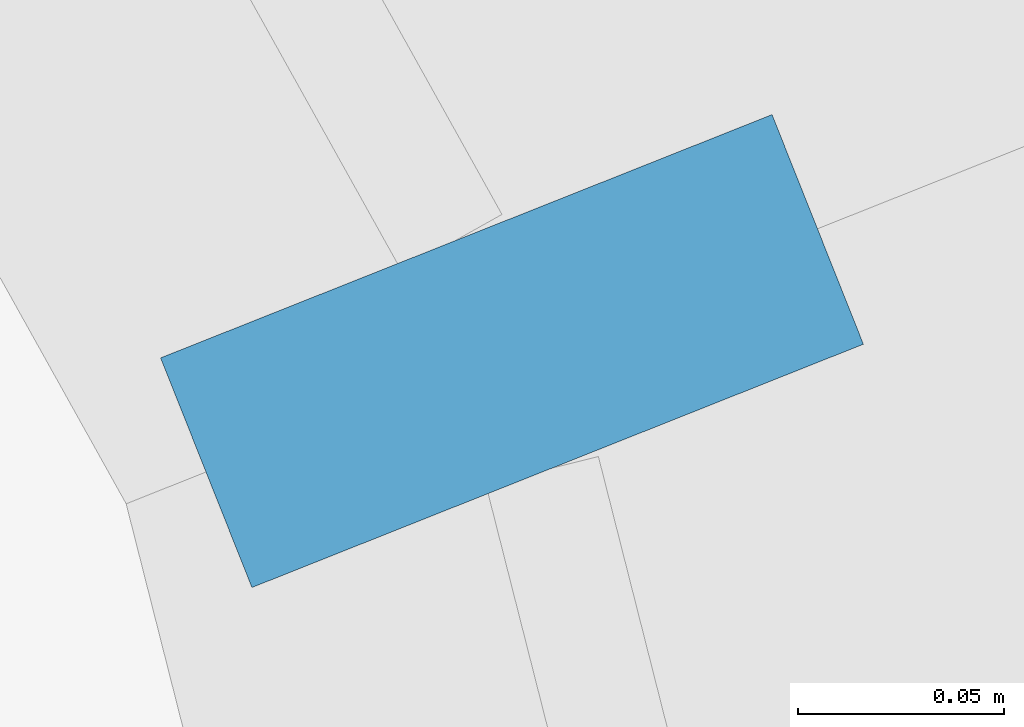
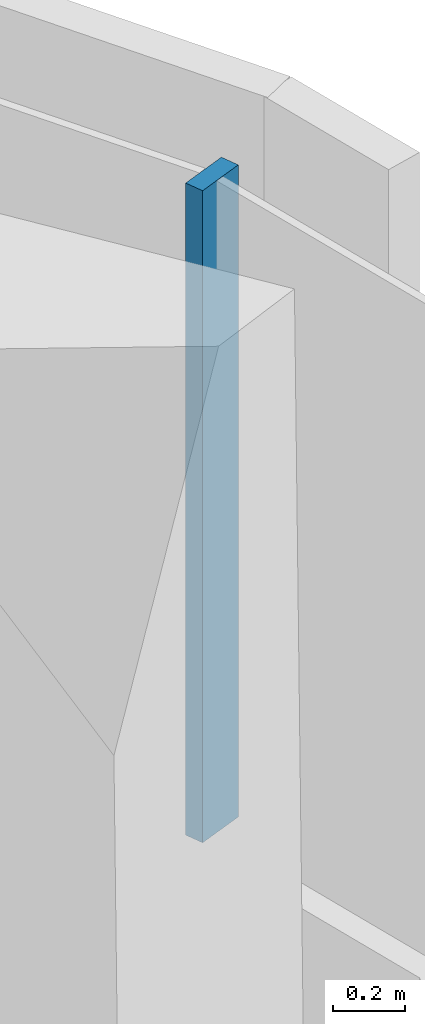
# One storey, part 10 of 34: 1 member, 1 element without a shape of its own.
"""IFC4 building model written with IfcOpenShell, lengths in metres."""

from ifc_helpers import new_model, si_unit, direction, frame, origin, origin_2d, place, context, subcontext, project, spatial, rectangle, extrude, material, layer, layer_set, material_profile, profile_set, type_object, element, aggregate, save


model = new_model("IFC4")

# Units and contexts
model_context = context("Model", 3, precision=1e-05, world=origin(), true_north=direction((0.0, 1.0)))
body_context = subcontext(model_context, "Body", "Model", "MODEL_VIEW")
ifc_project = project(units=[si_unit("LENGTHUNIT", "METRE"), si_unit("AREAUNIT", "SQUARE_METRE"), si_unit("VOLUMEUNIT", "CUBIC_METRE"), si_unit("PLANEANGLEUNIT", "RADIAN"), si_unit("MASSUNIT", "GRAM", prefix="KILO")], contexts=[model_context])

# Site, building, storey
site_placement = place(None, origin())
site = spatial("IfcSite", under=ifc_project, at=site_placement, CompositionType="ELEMENT")
building_placement = place(site_placement, origin())
building = spatial("IfcBuilding", under=site, at=building_placement, Name="Tamarind Cross Interchange Tower", CompositionType="ELEMENT")
storey_placement = place(building_placement, frame((0.0, 0.0, 140.5)))
storey = spatial("IfcBuildingStorey", under=building, at=storey_placement, Name="L34", CompositionType="ELEMENT", Elevation=140.5)

# Curtain wall, member
ifc_material = material(Name="Aluminium 6063-T6", Category="aluminium")
ifc_layer = layer(ifc_material, 0.159912109375)
ifc_layer_set = layer_set([ifc_layer], Name="Aluminium 6063-T6")
curtain_wall_type = type_object("IfcCurtainWallType", Name="Office curtain wall, 9.0 m bays", PredefinedType="NOTDEFINED", material=ifc_layer_set)
curtain_wall_placement = place(storey_placement, origin())
curtain_wall = element("IfcCurtainWall", 1, at=curtain_wall_placement, inside=storey, type_object=curtain_wall_type, Name="CWS-L34-05", PredefinedType="NOTDEFINED")
ifc_material_profile = material_profile(ifc_material, rectangle(XDim=0.06005859375, YDim=0.159912109375, at=origin_2d()), Name="Mullion CW1")
ifc_profile_set = profile_set([ifc_material_profile], Name="Aluminium 6063-T6")
member_type = type_object("IfcMemberType", Name="Mullion CW1", PredefinedType="MULLION", material=ifc_profile_set)
member_placement = place(storey_placement, frame((18.4052734375, -40.944091796875, 1.39990234375), z_axis=(0.0, 0.0, 1.0), x_axis=(-0.369684995222, 0.929157147262, 0.0)))
member = element("IfcMember", 2, at=member_placement, type_object=member_type, Name="CWM-L34-05-00", PredefinedType="MULLION", context=body_context, shape_type="SweptSolid", body=[
    extrude(rectangle(XDim=0.06005859375, YDim=0.159912109375, at=origin_2d()), origin(), (0.0, 0.0, 1.0), 2.210205078125),
])
aggregate(curtain_wall, [member])

save(model, "model.ifc")
